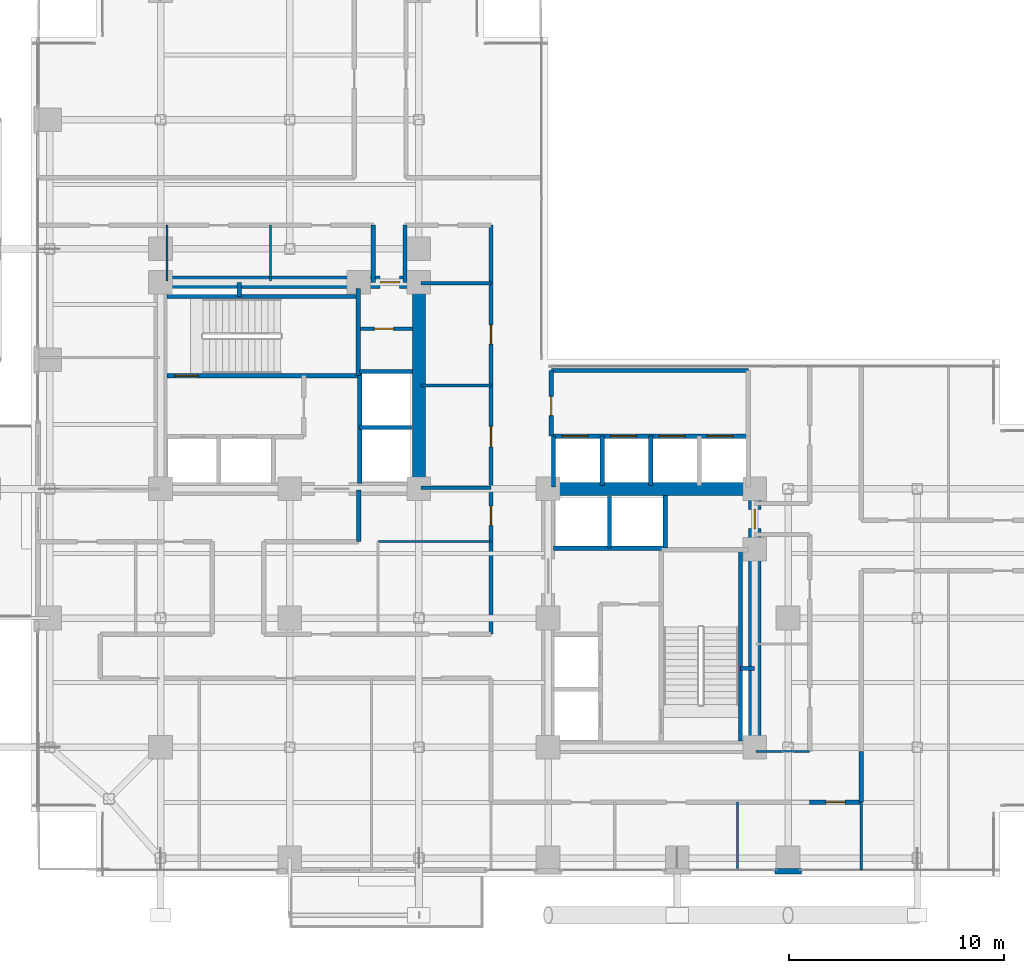
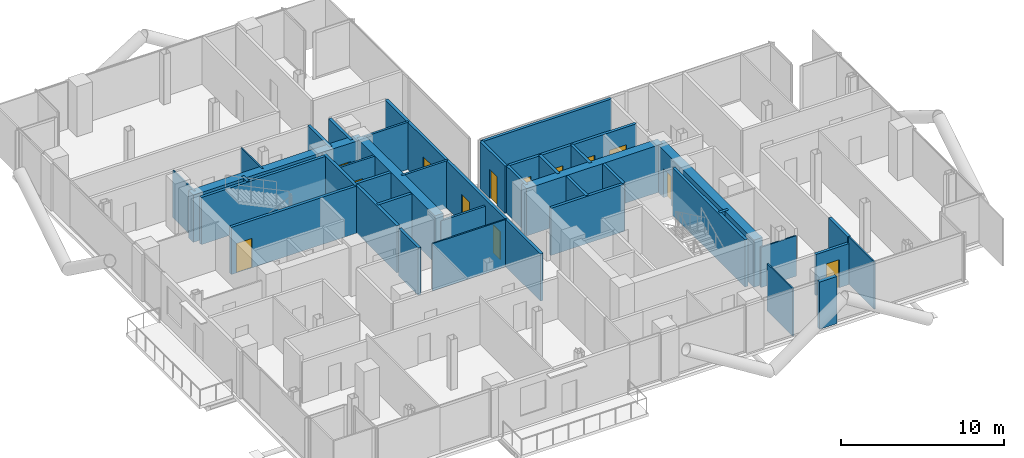
# One storey, part 20 of 24: 39 walls, 13 doors, 13 openings.
"""IFC4 building model written with IfcOpenShell, lengths in metres."""

from ifc_helpers import new_model, si_unit, direction, frame, frame_2d, origin, place, context, subcontext, project, spatial, rectangle, extrude, material, layer, layer_set, type_object, element, fill, save


model = new_model("IFC4")

# Units and contexts
model_context = context("Model", 3, precision=1e-05, world=origin(), true_north=direction((0.0, 1.0)))
body_context = subcontext(model_context, "Body", "Model", "MODEL_VIEW")
ifc_project = project(units=[si_unit("LENGTHUNIT", "METRE"), si_unit("AREAUNIT", "SQUARE_METRE"), si_unit("VOLUMEUNIT", "CUBIC_METRE"), si_unit("PLANEANGLEUNIT", "RADIAN"), si_unit("MASSUNIT", "GRAM", prefix="KILO"), si_unit("THERMODYNAMICTEMPERATUREUNIT", "KELVIN"), si_unit("POWERUNIT", "WATT")], contexts=[model_context])

# Site, building, storey
site_placement = place(None, origin())
site = spatial("IfcSite", under=ifc_project, at=site_placement, CompositionType="ELEMENT")
building_placement = place(site_placement, origin())
building = spatial("IfcBuilding", under=site, at=building_placement, Name="Svarakhadi Broadcast Tower", CompositionType="ELEMENT")
storey_placement = place(building_placement, frame((0.0, 0.0, 141.89990234375)))
storey = spatial("IfcBuildingStorey", under=building, at=storey_placement, Name="L34", CompositionType="ELEMENT", Elevation=141.89990234375)

# Wall
ifc_material_1 = material(Name="Double-Stud Acoustic Studio Partition STC-62", Category="gypsum")
ifc_layer_1 = layer(ifc_material_1, 0.199951171875)
ifc_layer_set_1 = layer_set([ifc_layer_1], Name="Double-Stud Acoustic Studio Partition STC-62")
wall_type_1 = type_object("IfcWallType", Name="Wall_Acoust_200", PredefinedType="PARTITIONING", material=ifc_layer_set_1)
wall_1_placement = place(storey_placement, frame((38.550048828125, 5.800048828125, 0.0), z_axis=(0.0, 0.0, 1.0), x_axis=(0.0, -1.0, 0.0)))
element("IfcWall", 1, at=wall_1_placement, inside=storey, type_object=wall_type_1, Name="L34 Zone 2/3 Corridor Wall", PredefinedType="PARTITIONING", context=body_context, shape_type="SweptSolid", body=[
    extrude(rectangle(XDim=2.35009765625, YDim=0.199951171875, at=frame_2d((1.175048828125, 0.0))), origin(), (0.0, 0.0, 1.0), 3.525146484375),
])

# Wall, opening, door
wall_2_placement = place(storey_placement, frame((38.550048828125, 3.449951171875, 0.0), z_axis=(0.0, 0.0, 1.0), x_axis=(-1.0, 0.0, 0.0)))
wall_2 = element("IfcWall", 2, at=wall_2_placement, inside=storey, type_object=wall_type_1, Name="L34 Zone 2/3 Corridor Wall", PredefinedType="PARTITIONING", context=body_context, shape_type="SweptSolid", body=[
    extrude(rectangle(XDim=2.400146484375, YDim=0.199951171875, at=frame_2d((1.2001953125, 0.0))), origin(), (0.0, 0.0, 1.0), 3.067138671875),
])
opening_1_placement = place(wall_2_placement, frame((0.75, 0.0, 0.0)))
opening_1 = element("IfcOpeningElement", 3, at=opening_1_placement, cuts=wall_2, Name="Opening D-14", PredefinedType="OPENING", context=body_context, shape_type="SweptSolid", body=[
    extrude(rectangle(XDim=0.89990234375, YDim=2.10009765625, at=frame_2d((0.449951171875, 1.050048828125))), frame((0.0, 0.10986328125, 0.0), z_axis=(0.0, -1.0, 0.0), x_axis=(1.0, 0.0, 0.0)), (0.0, 0.0, 1.0), 0.219970703125),
])
ifc_material_2 = material(Name="Solid-Core Teak Veneer Acoustic Timber Leaf", Category="wood")
door_type_1 = type_object("IfcDoorType", Name="Door_Int_D14", OperationType="SINGLE_SWING_LEFT", PredefinedType="DOOR", material=ifc_material_2)
door_1_placement = place(opening_1_placement, origin())
door_1 = element("IfcDoor", 4, at=door_1_placement, inside=storey, type_object=door_type_1, Name="L34 Artisanal Espresso Bar Door", OperationType="SINGLE_SWING_LEFT", OverallHeight=2.10009765625, OverallWidth=0.89990234375, PredefinedType="DOOR", context=body_context, shape_type="SweptSolid", body=[
    extrude(rectangle(XDim=0.89990234375, YDim=2.10009765625, at=frame_2d((0.449951171875, 1.050048828125))), frame((0.0, 0.02490234375, 0.0), z_axis=(0.0, -1.0, 0.0), x_axis=(1.0, 0.0, 0.0)), (0.0, 0.0, 1.0), 0.050048828125),
])
fill(opening_1, door_1)

# Wall
wall_3_placement = place(storey_placement, frame((15.199951171875, 17.949951171875, 0.0), z_axis=(0.0, 0.0, 1.0), x_axis=(0.0, -1.0, 0.0)))
element("IfcWall", 5, at=wall_3_placement, inside=storey, type_object=wall_type_1, Name="L34 Zone 2/3 Corridor Wall", PredefinedType="PARTITIONING", context=body_context, shape_type="SweptSolid", body=[
    extrude(rectangle(XDim=2.39990234375, YDim=0.199951171875, at=frame_2d((1.199951171875, 0.0))), origin(), (0.0, 0.0, 1.0), 3.525146484375),
])

# Wall, openings, doors
wall_4_placement = place(storey_placement, frame((21.35009765625, 11.25, 0.0), z_axis=(0.0, 0.0, 1.0), x_axis=(0.0, 1.0, 0.0)))
wall_4 = element("IfcWall", 6, at=wall_4_placement, inside=storey, type_object=wall_type_1, Name="L34 Zone 2/3 Corridor Wall", PredefinedType="PARTITIONING", context=body_context, shape_type="SweptSolid", body=[
    extrude(rectangle(XDim=19.0, YDim=0.199951171875, at=frame_2d((9.5, 0.0))), origin(), (0.0, 0.0, 1.0), 3.525146484375),
])
opening_2_placement = place(wall_4_placement, frame((8.699951171875, 0.0, 0.0)))
opening_2 = element("IfcOpeningElement", 7, at=opening_2_placement, cuts=wall_4, Name="Opening D-06", PredefinedType="OPENING", context=body_context, shape_type="SweptSolid", body=[
    extrude(rectangle(XDim=0.949951171875, YDim=2.14990234375, at=frame_2d((0.47509765625, 1.074951171875))), frame((0.0, 0.10986328125, 0.0), z_axis=(0.0, -1.0, 0.0), x_axis=(1.0, 0.0, 0.0)), (0.0, 0.0, 1.0), 0.219970703125),
])
opening_3_placement = place(wall_4_placement, frame((13.47509765625, 0.0, 0.0)))
opening_3 = element("IfcOpeningElement", 8, at=opening_3_placement, cuts=wall_4, Name="Opening D-13", PredefinedType="OPENING", context=body_context, shape_type="SweptSolid", body=[
    extrude(rectangle(XDim=0.89990234375, YDim=2.10009765625, at=frame_2d((0.449951171875, 1.050048828125))), frame((0.0, 0.10986328125, 0.0), z_axis=(0.0, -1.0, 0.0), x_axis=(1.0, 0.0, 0.0)), (0.0, 0.0, 1.0), 0.219970703125),
])
opening_4_placement = place(wall_4_placement, frame((5.050048828125, 0.0, 0.0)))
opening_4 = element("IfcOpeningElement", 9, at=opening_4_placement, cuts=wall_4, Name="Opening D-14", PredefinedType="OPENING", context=body_context, shape_type="SweptSolid", body=[
    extrude(rectangle(XDim=0.89990234375, YDim=2.10009765625, at=frame_2d((0.449951171875, 1.050048828125))), frame((0.0, 0.10986328125, 0.0), z_axis=(0.0, -1.0, 0.0), x_axis=(1.0, 0.0, 0.0)), (0.0, 0.0, 1.0), 0.219970703125),
])
door_type_2 = type_object("IfcDoorType", Name="Door_Closet_D13", OperationType="SINGLE_SWING_RIGHT", PredefinedType="DOOR", material=ifc_material_2)
door_2_placement = place(opening_3_placement, origin())
door_2 = element("IfcDoor", 10, at=door_2_placement, inside=storey, type_object=door_type_2, Name="L34 Accessible Guest Washroom WC Door", OperationType="SINGLE_SWING_RIGHT", OverallHeight=2.10009765625, OverallWidth=0.89990234375, PredefinedType="DOOR", context=body_context, shape_type="SweptSolid", body=[
    extrude(rectangle(XDim=0.89990234375, YDim=2.10009765625, at=frame_2d((0.449951171875, 1.050048828125))), frame((0.0, 0.02490234375, 0.0), z_axis=(0.0, -1.0, 0.0), x_axis=(1.0, 0.0, 0.0)), (0.0, 0.0, 1.0), 0.050048828125),
])
fill(opening_3, door_2)
door_3_placement = place(opening_4_placement, origin())
door_3 = element("IfcDoor", 11, at=door_3_placement, inside=storey, type_object=door_type_1, Name="L34 Executive Review Pod Door", OperationType="SINGLE_SWING_LEFT", OverallHeight=2.10009765625, OverallWidth=0.89990234375, PredefinedType="DOOR", context=body_context, shape_type="SweptSolid", body=[
    extrude(rectangle(XDim=0.89990234375, YDim=2.10009765625, at=frame_2d((0.449951171875, 1.050048828125))), frame((0.0, 0.02490234375, 0.0), z_axis=(0.0, -1.0, 0.0), x_axis=(1.0, 0.0, 0.0)), (0.0, 0.0, 1.0), 0.050048828125),
])
fill(opening_4, door_3)
door_type_3 = type_object("IfcDoorType", Name="Door_Office_D06", OperationType="SINGLE_SWING_LEFT", PredefinedType="DOOR", material=ifc_material_2)
door_4_placement = place(opening_2_placement, origin())
door_4 = element("IfcDoor", 12, at=door_4_placement, inside=storey, type_object=door_type_3, Name="L34 Broadcast Editorial Review Office Door", OperationType="SINGLE_SWING_LEFT", OverallHeight=2.14990234375, OverallWidth=0.949951171875, PredefinedType="DOOR", context=body_context, shape_type="SweptSolid", body=[
    extrude(rectangle(XDim=0.949951171875, YDim=2.14990234375, at=frame_2d((0.47509765625, 1.074951171875))), frame((0.0, 0.02490234375, 0.0), z_axis=(0.0, -1.0, 0.0), x_axis=(1.0, 0.0, 0.0)), (0.0, 0.0, 1.0), 0.050048828125),
])
fill(opening_2, door_4)

# Walls
for number, where, z_axis, x_axis, name in (
    (13, (17.35009765625, 30.25, 0.0), (0.0, 0.0, 1.0), (0.0, -1.0, 0.0), "L34 Zone 2/3 Corridor Wall"),
    (14, (15.8798828125, 27.580078125, 0.0), (0.0, 0.0, 1.0), (0.0, 1.0, 0.0), "L34 Zone 2/3 Corridor Wall"),
):
    element("IfcWall", number, at=place(storey_placement, frame(where, z_axis=z_axis, x_axis=x_axis)), inside=storey, type_object=wall_type_1, Name=name, PredefinedType="PARTITIONING", context=body_context, shape_type="SweptSolid", body=[
        extrude(rectangle(XDim=2.669921875, YDim=0.199951171875, at=frame_2d((1.3349609375, 0.0))), origin(), (0.0, 0.0, 1.0), 3.525146484375),
    ])
ifc_material_3 = material(Name="Concrete C40/50 (IS 456 M50)", Category="concrete")
ifc_layer_2 = layer(ifc_material_3, 0.239990234375)
ifc_layer_set_2 = layer_set([ifc_layer_2], Name="Concrete C40/50 (IS 456 M50)")
wall_type_2 = type_object("IfcWallType", Name="Wall_Ext_240", PredefinedType="SOLIDWALL", material=ifc_layer_set_2)
wall_5_placement = place(storey_placement, frame((35.764892578125, 0.239990234375, 0.0), z_axis=(0.0, 0.0, 1.0), x_axis=(-1.0, 0.0, 0.0)))
element("IfcWall", 15, at=wall_5_placement, inside=storey, type_object=wall_type_2, Name="L34 Perimeter Bronze Spandrel Closure Wall 07", PredefinedType="SOLIDWALL", context=body_context, shape_type="SweptSolid", body=[
    extrude(rectangle(XDim=1.22998046875, YDim=0.239990234375, at=frame_2d((0.614990234375, 0.0))), origin(), (0.0, 0.0, 1.0), 3.525146484375),
])
ifc_layer_3 = layer(ifc_material_3, 0.199951171875)
ifc_layer_set_3 = layer_set([ifc_layer_3], Name="Concrete C40/50 (IS 456 M50)")
wall_type_3 = type_object("IfcWallType", Name="Wall_Fire_200", PredefinedType="SOLIDWALL", material=ifc_layer_set_3)
for number, where, z_axis, x_axis, name in (
    (16, (9.659912109375, 26.93994140625, 0.0), (0.0, 0.0, 1.0), (0.0, 1.0, 0.0), "L34 Wet Riser Shaft East Wall"),
    (17, (32.93994140625, 9.659912109375, 0.0), (0.0, 0.0, 1.0), (1.0, 0.0, 0.0), "L34 HV Busduct Riser Shaft North Wall"),
):
    element("IfcWall", number, at=place(storey_placement, frame(where, z_axis=z_axis, x_axis=x_axis)), inside=storey, type_object=wall_type_3, Name=name, PredefinedType="SOLIDWALL", context=body_context, shape_type="SweptSolid", body=[
        extrude(rectangle(XDim=0.64013671875, YDim=0.199951171875, at=frame_2d((0.320068359375, 0.0))), origin(), (0.0, 0.0, 1.0), 3.525146484375),
    ])
ifc_material_4 = material(Name="Fire-Rated Moisture-Resistant Gypsum Board Partition", Category="gypsum")
ifc_layer_4 = layer(ifc_material_4, 0.10009765625)
ifc_layer_set_4 = layer_set([ifc_layer_4], Name="Fire-Rated Moisture-Resistant Gypsum Board Partition")
wall_type_4 = type_object("IfcWallType", Name="Wall_Part_100", PredefinedType="PARTITIONING", material=ifc_layer_set_4)
wall_6_placement = place(storey_placement, frame((16.10009765625, 15.550048828125, 0.0), z_axis=(0.0, 0.0, 1.0), x_axis=(1.0, 0.0, 0.0)))
element("IfcWall", 18, at=wall_6_placement, inside=storey, type_object=wall_type_4, Name="L34 Accessible Floor Washroom WC Wall", PredefinedType="PARTITIONING", context=body_context, shape_type="SweptSolid", body=[
    extrude(rectangle(XDim=5.25, YDim=0.10009765625, at=frame_2d((2.625, 0.0))), origin(), (0.0, 0.0, 1.0), 3.525146484375),
])
for number, where, z_axis, x_axis, name in (
    (19, (32.800048828125, 0.300048828125, 0.0), (0.0, 0.0, 1.0), (0.0, 1.0, 0.0), "L34 Client Preview Briefing Room Wall"),
    (20, (38.550048828125, 0.300048828125, 0.0), (0.0, 0.0, 1.0), (0.0, 1.0, 0.0), "L34 Artisanal Espresso Bar Wall"),
):
    element("IfcWall", number, at=place(storey_placement, frame(where, z_axis=z_axis, x_axis=x_axis)), inside=storey, type_object=wall_type_4, Name=name, PredefinedType="PARTITIONING", context=body_context, shape_type="SweptSolid", body=[
        extrude(rectangle(XDim=3.14990234375, YDim=0.10009765625, at=frame_2d((1.574951171875, 0.0))), origin(), (0.0, 0.0, 1.0), 3.525146484375),
    ])
for number, where, z_axis, x_axis, name in (
    (21, (6.300048828125, 27.64990234375, 0.0), (0.0, 0.0, 1.0), (0.0, 1.0, 0.0), "L34 Acoustic Dubbing Booth Wall"),
    (22, (11.10009765625, 27.64990234375, 0.0), (0.0, 0.0, 1.0), (0.0, 1.0, 0.0), "L34 Acoustic Dubbing Booth Wall"),
):
    element("IfcWall", number, at=place(storey_placement, frame(where, z_axis=z_axis, x_axis=x_axis)), inside=storey, type_object=wall_type_4, Name=name, PredefinedType="PARTITIONING", context=body_context, shape_type="SweptSolid", body=[
        extrude(rectangle(XDim=2.60009765625, YDim=0.10009765625, at=frame_2d((1.300048828125, 0.0))), origin(), (0.0, 0.0, 1.0), 3.525146484375),
    ])
wall_7_placement = place(storey_placement, frame((33.64990234375, 5.800048828125, 0.0), z_axis=(0.0, 0.0, 1.0), x_axis=(1.0, 0.0, 0.0)))
element("IfcWall", 23, at=wall_7_placement, inside=storey, type_object=wall_type_4, Name="L34 Media Playout Monitoring Office Wall", PredefinedType="PARTITIONING", context=body_context, shape_type="SweptSolid", body=[
    extrude(rectangle(XDim=2.5, YDim=0.10009765625, at=frame_2d((1.25, 0.0))), origin(), (0.0, 0.0, 1.0), 3.01708984375),
])

# Wall, opening, door
ifc_material_5 = material(Name="Autoclaved Aerated Concrete Blockwork 150 mm", Category="masonry")
ifc_layer_5 = layer(ifc_material_5, 0.14990234375)
ifc_layer_set_5 = layer_set([ifc_layer_5], Name="Autoclaved Aerated Concrete Blockwork 150 mm")
wall_type_5 = type_object("IfcWallType", Name="Wall_Part_150", PredefinedType="PARTITIONING", material=ifc_layer_set_5)
wall_8_placement = place(storey_placement, frame((15.280029296875, 25.43994140625, 0.0), z_axis=(0.0, 0.0, 1.0), x_axis=(1.0, 0.0, 0.0)))
wall_8 = element("IfcWall", 24, at=wall_8_placement, inside=storey, type_object=wall_type_5, Name="L34 West Core Service Split Wall", PredefinedType="PARTITIONING", context=body_context, shape_type="SweptSolid", body=[
    extrude(rectangle(XDim=2.419921875, YDim=0.14990234375, at=frame_2d((1.2099609375, 0.0))), origin(), (0.0, 0.0, 1.0), 3.525146484375),
])
opening_5_placement = place(wall_8_placement, frame((0.64990234375, 0.0, 0.0)))
opening_5 = element("IfcOpeningElement", 25, at=opening_5_placement, cuts=wall_8, Name="Opening D-04", PredefinedType="OPENING", context=body_context, shape_type="SweptSolid", body=[
    extrude(rectangle(XDim=0.89990234375, YDim=2.14990234375, at=frame_2d((0.449951171875, 1.074951171875))), frame((0.0, 0.0849609375, 0.0), z_axis=(0.0, -1.0, 0.0), x_axis=(1.0, 0.0, 0.0)), (0.0, 0.0, 1.0), 0.169921875),
])
ifc_material_6 = material(Name="Galvanised Powder-Coated Fire-Rated Steel Leaf", Category="steel")
door_type_4 = type_object("IfcDoorType", Name="Door_Fire_D04", OperationType="SINGLE_SWING_RIGHT", PredefinedType="DOOR", material=ifc_material_6)
door_5_placement = place(opening_5_placement, origin())
door_5 = element("IfcDoor", 26, at=door_5_placement, inside=storey, type_object=door_type_4, Name="L34 West Core Inner Store Door", OperationType="SINGLE_SWING_RIGHT", OverallHeight=2.14990234375, OverallWidth=0.89990234375, PredefinedType="DOOR", context=body_context, shape_type="SweptSolid", body=[
    extrude(rectangle(XDim=0.89990234375, YDim=2.14990234375, at=frame_2d((0.449951171875, 1.074951171875))), frame((0.0, 0.02490234375, 0.0), z_axis=(0.0, -1.0, 0.0), x_axis=(1.0, 0.0, 0.0)), (0.0, 0.0, 1.0), 0.050048828125),
])
fill(opening_5, door_5)

# Walls
wall_9_placement = place(storey_placement, frame((18.10009765625, 18.050048828125, 0.0), z_axis=(0.0, 0.0, 1.0), x_axis=(1.0, 0.0, 0.0)))
element("IfcWall", 27, at=wall_9_placement, inside=storey, type_object=wall_type_5, Name="L34 Broadcast Editorial Review Office Wall", PredefinedType="PARTITIONING", context=body_context, shape_type="SweptSolid", body=[
    extrude(rectangle(XDim=3.25, YDim=0.14990234375, at=frame_2d((1.625, 0.0))), origin(), (0.0, 0.0, 1.0), 3.01708984375),
])
for number, where, z_axis, x_axis, name in (
    (28, (18.10009765625, 22.800048828125, 0.0), (0.0, 0.0, 1.0), (1.0, 0.0, 0.0), "L34 Broadcast Editorial Review Office Wall"),
    (29, (18.10009765625, 27.550048828125, 0.0), (0.0, 0.0, 1.0), (1.0, 0.0, 0.0), "L34 Accessible Guest Washroom WC Wall"),
):
    element("IfcWall", number, at=place(storey_placement, frame(where, z_axis=z_axis, x_axis=x_axis)), inside=storey, type_object=wall_type_5, Name=name, PredefinedType="PARTITIONING", context=body_context, shape_type="SweptSolid", body=[
        extrude(rectangle(XDim=3.25, YDim=0.14990234375, at=frame_2d((1.625, 0.0))), origin(), (0.0, 0.0, 1.0), 3.525146484375),
    ])

# Wall, opening, door
ifc_material_7 = material(Name="Concrete C50/60 (IS 456 M60)", Category="concrete")
ifc_layer_6 = layer(ifc_material_7, 0.199951171875)
ifc_layer_set_6 = layer_set([ifc_layer_6], Name="Concrete C50/60 (IS 456 M60)")
wall_type_6 = type_object("IfcWallType", Name="Wall_Shear_200", PredefinedType="SHEAR", material=ifc_layer_set_6)
wall_10_placement = place(storey_placement, frame((6.300048828125, 23.260009765625, 0.0), z_axis=(0.0, 0.0, 1.0), x_axis=(1.0, 0.0, 0.0)))
wall_10 = element("IfcWall", 30, at=wall_10_placement, inside=storey, type_object=wall_type_6, Name="L34 Stair ST-01 South RC Shaft Wall", PredefinedType="SHEAR", context=body_context, shape_type="SweptSolid", body=[
    extrude(rectangle(XDim=8.8798828125, YDim=0.199951171875, at=frame_2d((4.43994140625, 0.0))), origin(), (0.0, 0.0, 1.0), 3.525146484375),
])
opening_6_placement = place(wall_10_placement, frame((0.35009765625, 0.0, 0.0)))
opening_6 = element("IfcOpeningElement", 31, at=opening_6_placement, cuts=wall_10, Name="Opening D-01", PredefinedType="OPENING", context=body_context, shape_type="SweptSolid", body=[
    extrude(rectangle(XDim=1.10009765625, YDim=2.199951171875, at=frame_2d((0.550048828125, 1.10009765625))), frame((0.0, 0.10986328125, 0.0), z_axis=(0.0, -1.0, 0.0), x_axis=(1.0, 0.0, 0.0)), (0.0, 0.0, 1.0), 0.219970703125),
])
door_type_5 = type_object("IfcDoorType", Name="Door_Stair_D01", OperationType="SINGLE_SWING_LEFT", PredefinedType="DOOR", material=ifc_material_6)
door_6_placement = place(opening_6_placement, origin())
door_6 = element("IfcDoor", 32, at=door_6_placement, inside=storey, type_object=door_type_5, Name="L34 Protected Exit Stair ST-01 Fire Door", OperationType="SINGLE_SWING_LEFT", OverallHeight=2.199951171875, OverallWidth=1.10009765625, PredefinedType="DOOR", context=body_context, shape_type="SweptSolid", body=[
    extrude(rectangle(XDim=1.10009765625, YDim=2.199951171875, at=frame_2d((0.550048828125, 1.10009765625))), frame((0.0, 0.02490234375, 0.0), z_axis=(0.0, -1.0, 0.0), x_axis=(1.0, 0.0, 0.0)), (0.0, 0.0, 1.0), 0.050048828125),
])
fill(opening_6, door_6)

# Walls
wall_11_placement = place(storey_placement, frame((6.300048828125, 26.93994140625, 0.0), z_axis=(0.0, 0.0, 1.0), x_axis=(1.0, 0.0, 0.0)))
element("IfcWall", 33, at=wall_11_placement, inside=storey, type_object=wall_type_6, Name="L34 Stair ST-01 North RC Shaft Wall", PredefinedType="SHEAR", context=body_context, shape_type="SweptSolid", body=[
    extrude(rectangle(XDim=8.8798828125, YDim=0.199951171875, at=frame_2d((4.43994140625, 0.0))), origin(), (0.0, 0.0, 1.0), 3.525146484375),
])
wall_12_placement = place(storey_placement, frame((15.179931640625, 23.260009765625, 0.0), z_axis=(0.0, 0.0, 1.0), x_axis=(0.0, 1.0, 0.0)))
element("IfcWall", 34, at=wall_12_placement, inside=storey, type_object=wall_type_6, Name="L34 Stair ST-01 East RC Shaft Wall", PredefinedType="SHEAR", context=body_context, shape_type="SweptSolid", body=[
    extrude(rectangle(XDim=4.0400390625, YDim=0.199951171875, at=frame_2d((2.02001953125, 0.0))), origin(), (0.0, 0.0, 1.0), 3.525146484375),
])
wall_13_placement = place(storey_placement, frame((32.93994140625, 6.300048828125, 0.0), z_axis=(0.0, 0.0, 1.0), x_axis=(0.0, 1.0, 0.0)))
element("IfcWall", 35, at=wall_13_placement, inside=storey, type_object=wall_type_6, Name="L34 Stair ST-02 East RC Shaft Wall", PredefinedType="SHEAR", context=body_context, shape_type="SweptSolid", body=[
    extrude(rectangle(XDim=8.8798828125, YDim=0.199951171875, at=frame_2d((4.43994140625, 0.0))), origin(), (0.0, 0.0, 1.0), 3.525146484375),
])
wall_14_placement = place(storey_placement, frame((15.25, 18.25, 0.0), z_axis=(0.0, 0.0, 1.0), x_axis=(0.0, 1.0, 0.0)))
element("IfcWall", 36, at=wall_14_placement, inside=storey, type_object=wall_type_6, Name="L34 High-Rise Lift LF-13/14 West Shaft Wall", PredefinedType="SHEAR", context=body_context, shape_type="SweptSolid", body=[
    extrude(rectangle(XDim=5.199951171875, YDim=0.199951171875, at=frame_2d((2.60009765625, 0.0))), origin(), (0.0, 0.0, 1.0), 3.525146484375),
])
wall_15_placement = place(storey_placement, frame((15.25, 20.85009765625, 0.0), z_axis=(0.0, 0.0, 1.0), x_axis=(1.0, 0.0, 0.0)))
element("IfcWall", 37, at=wall_15_placement, inside=storey, type_object=wall_type_6, Name="L34 High-Rise Lift LF-13/14 Divider", PredefinedType="SHEAR", context=body_context, shape_type="SweptSolid", body=[
    extrude(rectangle(XDim=2.39990234375, YDim=0.199951171875, at=frame_2d((1.199951171875, 0.0))), origin(), (0.0, 0.0, 1.0), 3.525146484375),
])
wall_16_placement = place(storey_placement, frame((15.25, 23.449951171875, 0.0), z_axis=(0.0, 0.0, 1.0), x_axis=(1.0, 0.0, 0.0)))
element("IfcWall", 38, at=wall_16_placement, inside=storey, type_object=wall_type_6, Name="L34 High-Rise Lift LF-13/14 North Wall", PredefinedType="SHEAR", context=body_context, shape_type="SweptSolid", body=[
    extrude(rectangle(XDim=2.449951171875, YDim=0.199951171875, at=frame_2d((1.22509765625, 0.0))), origin(), (0.0, 0.0, 1.0), 3.525146484375),
])
wall_17_placement = place(storey_placement, frame((24.25, 15.25, 0.0), z_axis=(0.0, 0.0, 1.0), x_axis=(1.0, 0.0, 0.0)))
element("IfcWall", 39, at=wall_17_placement, inside=storey, type_object=wall_type_6, Name="L34 High-Rise Lift LF-15/16 South Shaft Wall", PredefinedType="SHEAR", context=body_context, shape_type="SweptSolid", body=[
    extrude(rectangle(XDim=5.199951171875, YDim=0.199951171875, at=frame_2d((2.60009765625, 0.0))), origin(), (0.0, 0.0, 1.0), 3.525146484375),
])
wall_18_placement = place(storey_placement, frame((26.85009765625, 15.25, 0.0), z_axis=(0.0, 0.0, 1.0), x_axis=(0.0, 1.0, 0.0)))
element("IfcWall", 40, at=wall_18_placement, inside=storey, type_object=wall_type_6, Name="L34 High-Rise Lift LF-15/16 Divider", PredefinedType="SHEAR", context=body_context, shape_type="SweptSolid", body=[
    extrude(rectangle(XDim=2.39990234375, YDim=0.199951171875, at=frame_2d((1.199951171875, 0.0))), origin(), (0.0, 0.0, 1.0), 3.525146484375),
])
wall_19_placement = place(storey_placement, frame((29.449951171875, 15.25, 0.0), z_axis=(0.0, 0.0, 1.0), x_axis=(0.0, 1.0, 0.0)))
element("IfcWall", 41, at=wall_19_placement, inside=storey, type_object=wall_type_6, Name="L34 High-Rise Lift LF-15/16 East Wall", PredefinedType="SHEAR", context=body_context, shape_type="SweptSolid", body=[
    extrude(rectangle(XDim=2.449951171875, YDim=0.199951171875, at=frame_2d((1.22509765625, 0.0))), origin(), (0.0, 0.0, 1.0), 3.525146484375),
])
wall_20_placement = place(storey_placement, frame((24.25, 18.10009765625, 0.0), z_axis=(0.0, 0.0, 1.0), x_axis=(0.0, 1.0, 0.0)))
element("IfcWall", 42, at=wall_20_placement, inside=storey, type_object=wall_type_6, Name="L34 Bank B West Shaft Wall", PredefinedType="SHEAR", context=body_context, shape_type="SweptSolid", body=[
    extrude(rectangle(XDim=2.349853515625, YDim=0.199951171875, at=frame_2d((1.1748046875, 0.0))), origin(), (0.0, 0.0, 1.0), 3.525146484375),
])

# Wall, openings, doors
wall_21_placement = place(storey_placement, frame((24.25, 20.449951171875, 0.0), z_axis=(0.0, 0.0, 1.0), x_axis=(1.0, 0.0, 0.0)))
wall_21 = element("IfcWall", 43, at=wall_21_placement, inside=storey, type_object=wall_type_6, Name="L34 Bank B North Landing Wall", PredefinedType="SHEAR", context=body_context, shape_type="SweptSolid", body=[
    extrude(rectangle(XDim=9.050048828125, YDim=0.199951171875, at=frame_2d((4.52490234375, 0.0))), origin(), (0.0, 0.0, 1.0), 3.525146484375),
])
opening_7_placement = place(wall_21_placement, frame((0.39990234375, 0.0, 0.0)))
opening_7 = element("IfcOpeningElement", 44, at=opening_7_placement, cuts=wall_21, Name="Opening LD-02", PredefinedType="OPENING", context=body_context, shape_type="SweptSolid", body=[
    extrude(rectangle(XDim=1.199951171875, YDim=2.199951171875, at=frame_2d((0.60009765625, 1.10009765625))), frame((0.0, 0.10986328125, 0.0), z_axis=(0.0, -1.0, 0.0), x_axis=(1.0, 0.0, 0.0)), (0.0, 0.0, 1.0), 0.219970703125),
])
opening_8_placement = place(wall_21_placement, frame((2.64990234375, 0.0, 0.0)))
opening_8 = element("IfcOpeningElement", 45, at=opening_8_placement, cuts=wall_21, Name="Opening LD-02", PredefinedType="OPENING", context=body_context, shape_type="SweptSolid", body=[
    extrude(rectangle(XDim=1.199951171875, YDim=2.199951171875, at=frame_2d((0.60009765625, 1.10009765625))), frame((0.0, 0.10986328125, 0.0), z_axis=(0.0, -1.0, 0.0), x_axis=(1.0, 0.0, 0.0)), (0.0, 0.0, 1.0), 0.219970703125),
])
opening_9_placement = place(wall_21_placement, frame((4.89990234375, 0.0, 0.0)))
opening_9 = element("IfcOpeningElement", 46, at=opening_9_placement, cuts=wall_21, Name="Opening LD-02", PredefinedType="OPENING", context=body_context, shape_type="SweptSolid", body=[
    extrude(rectangle(XDim=1.199951171875, YDim=2.199951171875, at=frame_2d((0.60009765625, 1.10009765625))), frame((0.0, 0.10986328125, 0.0), z_axis=(0.0, -1.0, 0.0), x_axis=(1.0, 0.0, 0.0)), (0.0, 0.0, 1.0), 0.219970703125),
])
opening_10_placement = place(wall_21_placement, frame((7.14990234375, 0.0, 0.0)))
opening_10 = element("IfcOpeningElement", 47, at=opening_10_placement, cuts=wall_21, Name="Opening LD-02", PredefinedType="OPENING", context=body_context, shape_type="SweptSolid", body=[
    extrude(rectangle(XDim=1.199951171875, YDim=2.199951171875, at=frame_2d((0.60009765625, 1.10009765625))), frame((0.0, 0.10986328125, 0.0), z_axis=(0.0, -1.0, 0.0), x_axis=(1.0, 0.0, 0.0)), (0.0, 0.0, 1.0), 0.219970703125),
])
door_type_6 = type_object("IfcDoorType", Name="Door_Lift_LD02", OperationType="SLIDING_TO_RIGHT", PredefinedType="DOOR", material=ifc_material_6)
door_7_placement = place(opening_7_placement, origin())
door_7 = element("IfcDoor", 48, at=door_7_placement, inside=storey, type_object=door_type_6, Name="L34 Mid-Rise Lift LF-09 Landing Door", OperationType="SLIDING_TO_RIGHT", OverallHeight=2.199951171875, OverallWidth=1.199951171875, PredefinedType="DOOR", context=body_context, shape_type="SweptSolid", body=[
    extrude(rectangle(XDim=1.199951171875, YDim=2.199951171875, at=frame_2d((0.60009765625, 1.10009765625))), frame((0.0, 0.02490234375, 0.0), z_axis=(0.0, -1.0, 0.0), x_axis=(1.0, 0.0, 0.0)), (0.0, 0.0, 1.0), 0.050048828125),
])
fill(opening_7, door_7)
door_8_placement = place(opening_8_placement, origin())
door_8 = element("IfcDoor", 49, at=door_8_placement, inside=storey, type_object=door_type_6, Name="L34 Mid-Rise Lift LF-10 Landing Door", OperationType="SLIDING_TO_RIGHT", OverallHeight=2.199951171875, OverallWidth=1.199951171875, PredefinedType="DOOR", context=body_context, shape_type="SweptSolid", body=[
    extrude(rectangle(XDim=1.199951171875, YDim=2.199951171875, at=frame_2d((0.60009765625, 1.10009765625))), frame((0.0, 0.02490234375, 0.0), z_axis=(0.0, -1.0, 0.0), x_axis=(1.0, 0.0, 0.0)), (0.0, 0.0, 1.0), 0.050048828125),
])
fill(opening_8, door_8)
door_9_placement = place(opening_9_placement, origin())
door_9 = element("IfcDoor", 50, at=door_9_placement, inside=storey, type_object=door_type_6, Name="L34 Mid-Rise Lift LF-11 Landing Door", OperationType="SLIDING_TO_RIGHT", OverallHeight=2.199951171875, OverallWidth=1.199951171875, PredefinedType="DOOR", context=body_context, shape_type="SweptSolid", body=[
    extrude(rectangle(XDim=1.199951171875, YDim=2.199951171875, at=frame_2d((0.60009765625, 1.10009765625))), frame((0.0, 0.02490234375, 0.0), z_axis=(0.0, -1.0, 0.0), x_axis=(1.0, 0.0, 0.0)), (0.0, 0.0, 1.0), 0.050048828125),
])
fill(opening_9, door_9)
door_10_placement = place(opening_10_placement, origin())
door_10 = element("IfcDoor", 51, at=door_10_placement, inside=storey, type_object=door_type_6, Name="L34 Mid-Rise Lift LF-12 Landing Door", OperationType="SLIDING_TO_RIGHT", OverallHeight=2.199951171875, OverallWidth=1.199951171875, PredefinedType="DOOR", context=body_context, shape_type="SweptSolid", body=[
    extrude(rectangle(XDim=1.199951171875, YDim=2.199951171875, at=frame_2d((0.60009765625, 1.10009765625))), frame((0.0, 0.02490234375, 0.0), z_axis=(0.0, -1.0, 0.0), x_axis=(1.0, 0.0, 0.0)), (0.0, 0.0, 1.0), 0.050048828125),
])
fill(opening_10, door_10)

# Walls
for number, where, z_axis, x_axis, name in (
    (52, (26.52001953125, 18.14990234375, 0.0), (0.0, 0.0, 1.0), (0.0, 1.0, 0.0), "L34 Bank B Divider"),
    (53, (28.77001953125, 18.14990234375, 0.0), (0.0, 0.0, 1.0), (0.0, 1.0, 0.0), "L34 Bank B Divider"),
):
    element("IfcWall", number, at=place(storey_placement, frame(where, z_axis=z_axis, x_axis=x_axis)), inside=storey, type_object=wall_type_6, Name=name, PredefinedType="SHEAR", context=body_context, shape_type="SweptSolid", body=[
        extrude(rectangle(XDim=2.300048828125, YDim=0.199951171875, at=frame_2d((1.14990234375, 0.0))), origin(), (0.0, 0.0, 1.0), 3.525146484375),
    ])
wall_22_placement = place(storey_placement, frame((24.14990234375, 23.5, 0.0), z_axis=(0.0, 0.0, 1.0), x_axis=(1.0, 0.0, 0.0)))
element("IfcWall", 54, at=wall_22_placement, inside=storey, type_object=wall_type_6, Name="L34 Bank B Lift Hall North Wall", PredefinedType="SHEAR", context=body_context, shape_type="SweptSolid", body=[
    extrude(rectangle(XDim=9.150146484375, YDim=0.199951171875, at=frame_2d((4.5751953125, 0.0))), origin(), (0.0, 0.0, 1.0), 3.525146484375),
])

# Wall, opening, door
wall_23_placement = place(storey_placement, frame((24.14990234375, 20.449951171875, 0.0), z_axis=(0.0, 0.0, 1.0), x_axis=(0.0, 1.0, 0.0)))
wall_23 = element("IfcWall", 55, at=wall_23_placement, inside=storey, type_object=wall_type_6, Name="L34 Bank B Lift Hall West Wall", PredefinedType="SHEAR", context=body_context, shape_type="SweptSolid", body=[
    extrude(rectangle(XDim=3.050048828125, YDim=0.199951171875, at=frame_2d((1.52490234375, 0.0))), origin(), (0.0, 0.0, 1.0), 3.525146484375),
])
opening_11_placement = place(wall_23_placement, frame((0.949951171875, 0.0, 0.0)))
opening_11 = element("IfcOpeningElement", 56, at=opening_11_placement, cuts=wall_23, Name="Opening D-03", PredefinedType="OPENING", context=body_context, shape_type="SweptSolid", body=[
    extrude(rectangle(XDim=0.89990234375, YDim=2.14990234375, at=frame_2d((0.449951171875, 1.074951171875))), frame((0.0, 0.10986328125, 0.0), z_axis=(0.0, -1.0, 0.0), x_axis=(1.0, 0.0, 0.0)), (0.0, 0.0, 1.0), 0.219970703125),
])
door_type_7 = type_object("IfcDoorType", Name="Door_Fire_D03", OperationType="SINGLE_SWING_LEFT", PredefinedType="DOOR", material=ifc_material_6)
door_11_placement = place(opening_11_placement, origin())
door_11 = element("IfcDoor", 57, at=door_11_placement, inside=storey, type_object=door_type_7, Name="L34 Mid-Rise Lift Hall West Corridor Door", OperationType="SINGLE_SWING_LEFT", OverallHeight=2.14990234375, OverallWidth=0.89990234375, PredefinedType="DOOR", context=body_context, shape_type="SweptSolid", body=[
    extrude(rectangle(XDim=0.89990234375, YDim=2.14990234375, at=frame_2d((0.449951171875, 1.074951171875))), frame((0.0, 0.02490234375, 0.0), z_axis=(0.0, -1.0, 0.0), x_axis=(1.0, 0.0, 0.0)), (0.0, 0.0, 1.0), 0.050048828125),
])
fill(opening_11, door_11)

ifc_material_8 = material(Name="Concrete C60/75 (IS 456 M70)", Category="concrete")
ifc_layer_7 = layer(ifc_material_8, 0.60009765625)
ifc_layer_set_7 = layer_set([ifc_layer_7], Name="Concrete C60/75 (IS 456 M70)")
wall_type_7 = type_object("IfcWallType", Name="Wall_Shear_600", PredefinedType="SHEAR", material=ifc_layer_set_7)
wall_24_placement = place(storey_placement, frame((6.0, 27.60009765625, 0.0), z_axis=(0.0, 0.0, 1.0), x_axis=(1.0, 0.0, 0.0)))
wall_24 = element("IfcWall", 58, at=wall_24_placement, inside=storey, type_object=wall_type_7, Name="L34 West Core North Shear Wall", PredefinedType="SHEAR", context=body_context, shape_type="SweptSolid", body=[
    extrude(rectangle(XDim=12.0, YDim=0.60009765625, at=frame_2d((6.0, 0.0))), origin(), (0.0, 0.0, 1.0), 3.525146484375),
])
opening_12_placement = place(wall_24_placement, frame((10.199951171875, 0.0, 0.0)))
opening_12 = element("IfcOpeningElement", 59, at=opening_12_placement, cuts=wall_24, Name="Opening D-03", PredefinedType="OPENING", context=body_context, shape_type="SweptSolid", body=[
    extrude(rectangle(XDim=0.89990234375, YDim=2.14990234375, at=frame_2d((0.449951171875, 1.074951171875))), frame((0.0, 0.31005859375, 0.0), z_axis=(0.0, -1.0, 0.0), x_axis=(1.0, 0.0, 0.0)), (0.0, 0.0, 1.0), 0.6201171875),
])
door_12_placement = place(opening_12_placement, origin())
door_12 = element("IfcDoor", 60, at=door_12_placement, inside=storey, type_object=door_type_7, Name="L34 West Core Outer Store Door", OperationType="SINGLE_SWING_LEFT", OverallHeight=2.14990234375, OverallWidth=0.89990234375, PredefinedType="DOOR", context=body_context, shape_type="SweptSolid", body=[
    extrude(rectangle(XDim=0.89990234375, YDim=2.14990234375, at=frame_2d((0.449951171875, 1.074951171875))), frame((0.0, 0.02490234375, 0.0), z_axis=(0.0, -1.0, 0.0), x_axis=(1.0, 0.0, 0.0)), (0.0, 0.0, 1.0), 0.050048828125),
])
fill(opening_12, door_12)

# Walls
for number, where, z_axis, x_axis, name in (
    (61, (18.0, 18.0, 0.0), (0.0, 0.0, 1.0), (0.0, 1.0, 0.0), "L34 West Core East Shear Wall"),
    (62, (24.0, 18.0, 0.0), (0.0, 0.0, 1.0), (1.0, 0.0, 0.0), "L34 East Core North Shear Wall"),
):
    element("IfcWall", number, at=place(storey_placement, frame(where, z_axis=z_axis, x_axis=x_axis)), inside=storey, type_object=wall_type_7, Name=name, PredefinedType="SHEAR", context=body_context, shape_type="SweptSolid", body=[
        extrude(rectangle(XDim=9.60009765625, YDim=0.60009765625, at=frame_2d((4.800048828125, 0.0))), origin(), (0.0, 0.0, 1.0), 3.525146484375),
    ])

# Wall, opening, door
wall_25_placement = place(storey_placement, frame((33.60009765625, 6.0, 0.0), z_axis=(0.0, 0.0, 1.0), x_axis=(0.0, 1.0, 0.0)))
wall_25 = element("IfcWall", 63, at=wall_25_placement, inside=storey, type_object=wall_type_7, Name="L34 East Core East Shear Wall", PredefinedType="SHEAR", context=body_context, shape_type="SweptSolid", body=[
    extrude(rectangle(XDim=12.0, YDim=0.60009765625, at=frame_2d((6.0, 0.0))), origin(), (0.0, 0.0, 1.0), 3.525146484375),
])
opening_13_placement = place(wall_25_placement, frame((10.14990234375, 0.0, 0.0)))
opening_13 = element("IfcOpeningElement", 64, at=opening_13_placement, cuts=wall_25, Name="Opening D-03", PredefinedType="OPENING", context=body_context, shape_type="SweptSolid", body=[
    extrude(rectangle(XDim=0.89990234375, YDim=2.14990234375, at=frame_2d((0.449951171875, 1.074951171875))), frame((0.0, 0.31005859375, 0.0), z_axis=(0.0, -1.0, 0.0), x_axis=(1.0, 0.0, 0.0)), (0.0, 0.0, 1.0), 0.6201171875),
])
door_13_placement = place(opening_13_placement, origin())
door_13 = element("IfcDoor", 65, at=door_13_placement, inside=storey, type_object=door_type_7, Name="L34 East Core Service Store Door", OperationType="SINGLE_SWING_LEFT", OverallHeight=2.14990234375, OverallWidth=0.89990234375, PredefinedType="DOOR", context=body_context, shape_type="SweptSolid", body=[
    extrude(rectangle(XDim=0.89990234375, YDim=2.14990234375, at=frame_2d((0.449951171875, 1.074951171875))), frame((0.0, 0.02490234375, 0.0), z_axis=(0.0, -1.0, 0.0), x_axis=(1.0, 0.0, 0.0)), (0.0, 0.0, 1.0), 0.050048828125),
])
fill(opening_13, door_13)

save(model, "model.ifc")
